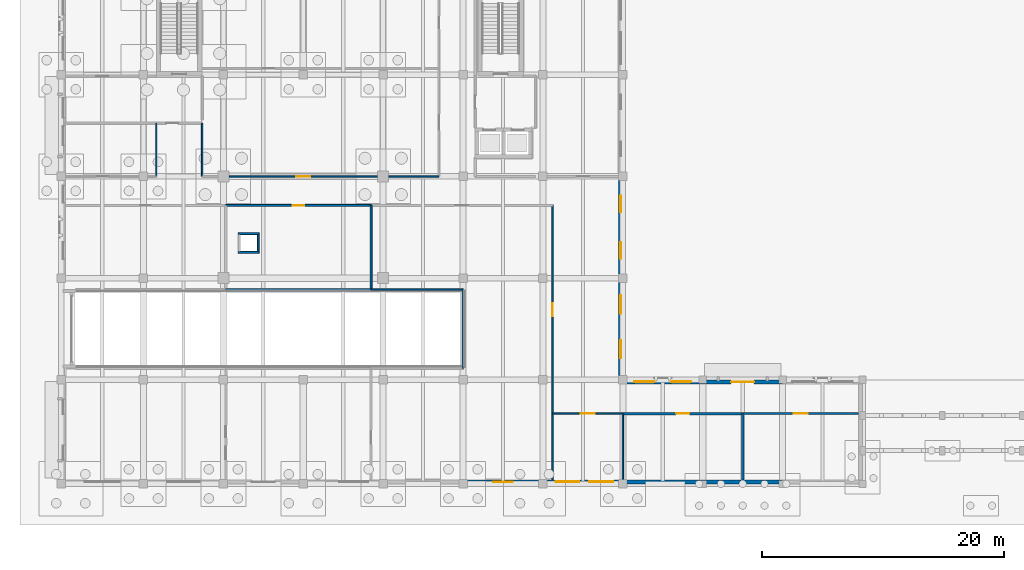
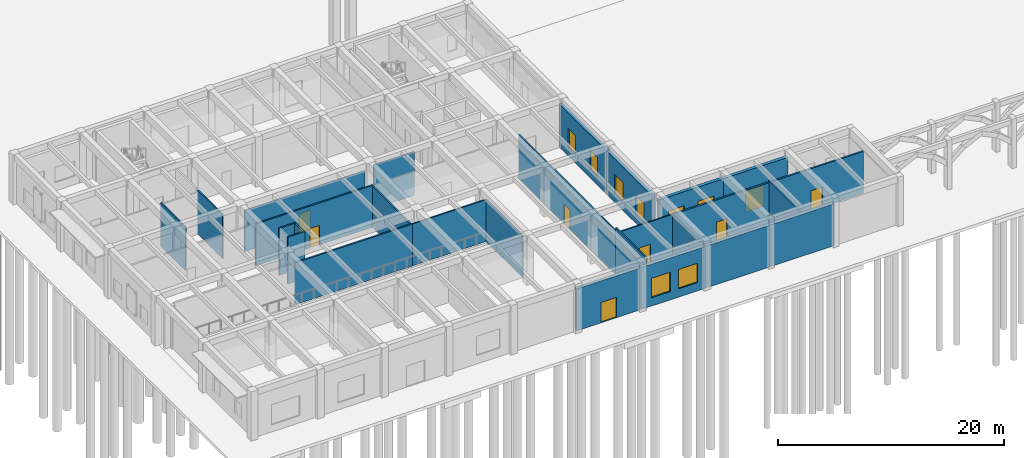
# One storey, part 49 of 82: 27 walls, 8 doors, 8 windows, 16 openings.
"""IFC4 building model written with IfcOpenShell, lengths in metres."""

from ifc_helpers import new_model, si_unit, direction, frame, frame_2d, origin, place, context, subcontext, project, spatial, rectangle, extrude, material, layer, layer_set, type_object, element, fill, save


model = new_model("IFC4")

# Units and contexts
model_context = context("Model", 3, precision=1e-05, world=origin(), true_north=direction((0.0, 1.0)))
body_context = subcontext(model_context, "Body", "Model", "MODEL_VIEW")
ifc_project = project(units=[si_unit("LENGTHUNIT", "METRE"), si_unit("AREAUNIT", "SQUARE_METRE"), si_unit("VOLUMEUNIT", "CUBIC_METRE"), si_unit("PLANEANGLEUNIT", "RADIAN"), si_unit("MASSUNIT", "GRAM", prefix="KILO")], contexts=[model_context])

# Site, building, storey
site_placement = place(None, origin())
site = spatial("IfcSite", under=ifc_project, at=site_placement, CompositionType="ELEMENT")
building_placement = place(site_placement, origin())
building = spatial("IfcBuilding", under=site, at=building_placement, Name="Kolvaren Faculty of Natural Sciences", CompositionType="ELEMENT")
storey_placement = place(building_placement, origin())
storey = spatial("IfcBuildingStorey", under=building, at=storey_placement, Name="L00", CompositionType="ELEMENT", Elevation=0.0)

# Walls
ifc_material_1 = material(Name="Acoustic mineral-wool insulated gypsum partition")
ifc_layer_1 = layer(ifc_material_1, 0.159912109375)
ifc_layer_set_1 = layer_set([ifc_layer_1], Name="Acoustic mineral-wool insulated gypsum partition")
wall_type_1 = type_object("IfcWallType", Name="ClassroomPartitionWall_160", PredefinedType="PARTITIONING", material=ifc_layer_set_1)
wall_1_placement = place(storey_placement, frame((25.60009765625, 23.0, 0.0), z_axis=(0.0, 0.0, 1.0), x_axis=(0.0, -1.0, 0.0)))
element("IfcWall", 1, at=wall_1_placement, inside=storey, type_object=wall_type_1, Name="L00 interior partition PW-160", PredefinedType="PARTITIONING", context=body_context, shape_type="SweptSolid", body=[
    extrude(rectangle(XDim=6.949951171875, YDim=0.159912109375, at=frame_2d((3.47509765625, 0.0))), origin(), (0.0, 0.0, 1.0), 4.43505859375),
])
wall_2_placement = place(storey_placement, frame((25.60009765625, 16.050048828125, 0.0), z_axis=(0.0, 0.0, 1.0), x_axis=(-1.0, 0.0, 0.0)))
element("IfcWall", 2, at=wall_2_placement, inside=storey, type_object=wall_type_1, Name="L00 interior partition PW-160", PredefinedType="PARTITIONING", context=body_context, shape_type="SweptSolid", body=[
    extrude(rectangle(XDim=12.0, YDim=0.159912109375, at=frame_2d((6.0, 0.0))), origin(), (0.0, 0.0, 1.0), 4.534912109375),
])

# Wall, opening, door
wall_3_placement = place(storey_placement, frame((13.60009765625, 23.0, 0.0), z_axis=(0.0, 0.0, 1.0), x_axis=(1.0, 0.0, 0.0)))
wall_3 = element("IfcWall", 3, at=wall_3_placement, inside=storey, type_object=wall_type_1, Name="L00 interior partition PW-160", PredefinedType="PARTITIONING", context=body_context, shape_type="SweptSolid", body=[
    extrude(rectangle(XDim=12.0, YDim=0.159912109375, at=frame_2d((6.0, 0.0))), origin(), (0.0, 0.0, 1.0), 4.534912109375),
])
opening_1_placement = place(wall_3_placement, frame((5.514892578125, 0.0, 0.0)))
opening_1 = element("IfcOpeningElement", 4, at=opening_1_placement, cuts=wall_3, Name="Opening ID-14", PredefinedType="OPENING", context=body_context, shape_type="SweptSolid", body=[
    extrude(rectangle(XDim=0.969970703125, YDim=2.10009765625, at=frame_2d((0.48486328125, 1.050048828125))), frame((0.0, 0.08984375, 0.0), z_axis=(0.0, -1.0, 0.0), x_axis=(1.0, 0.0, 0.0)), (0.0, 0.0, 1.0), 0.179931640625),
])
ifc_material_2 = material(Name="Solid-core hardwood veneer door leaf in steel frame", Category="steel")
door_type_1 = type_object("IfcDoorType", Name="InteriorRoomDoor_970x2100", OperationType="NOTDEFINED", PredefinedType="DOOR", material=ifc_material_2)
door_1_placement = place(opening_1_placement, origin())
door_1 = element("IfcDoor", 5, at=door_1_placement, inside=storey, type_object=door_type_1, Name="D-L00-0069", OperationType="SINGLE_SWING_LEFT", OverallHeight=2.10009765625, OverallWidth=0.969970703125, PredefinedType="DOOR", context=body_context, shape_type="SweptSolid", body=[
    extrude(rectangle(XDim=0.969970703125, YDim=2.10009765625, at=frame_2d((0.48486328125, 1.050048828125))), frame((0.0, 0.02490234375, 0.0), z_axis=(0.0, -1.0, 0.0), x_axis=(1.0, 0.0, 0.0)), (0.0, 0.0, 1.0), 0.050048828125),
])
fill(opening_1, door_1)

ifc_layer_2 = layer(ifc_material_1, 0.139892578125)
ifc_layer_set_2 = layer_set([ifc_layer_2], Name="Acoustic mineral-wool insulated gypsum partition")
wall_type_2 = type_object("IfcWallType", Name="CommonsPartitionWall_140", PredefinedType="PARTITIONING", material=ifc_layer_set_2)
wall_4_placement = place(storey_placement, frame((40.60009765625, 23.0, 0.0), z_axis=(0.0, 0.0, 1.0), x_axis=(0.0, -1.0, 0.0)))
wall_4 = element("IfcWall", 6, at=wall_4_placement, inside=storey, type_object=wall_type_2, Name="L00 interior partition PW-140", PredefinedType="PARTITIONING", context=body_context, shape_type="SweptSolid", body=[
    extrude(rectangle(XDim=17.199951171875, YDim=0.139892578125, at=frame_2d((8.60009765625, 0.0))), origin(), (0.0, 0.0, 1.0), 4.735107421875),
])
opening_2_placement = place(wall_4_placement, frame((8.06494140625, 0.0, 0.0)))
opening_2 = element("IfcOpeningElement", 7, at=opening_2_placement, cuts=wall_4, Name="Opening ID-16", PredefinedType="OPENING", context=body_context, shape_type="SweptSolid", body=[
    extrude(rectangle(XDim=1.070068359375, YDim=2.10009765625, at=frame_2d((0.53515625, 1.050048828125))), frame((0.0, 0.079833984375, 0.0), z_axis=(0.0, -1.0, 0.0), x_axis=(1.0, 0.0, 0.0)), (0.0, 0.0, 1.0), 0.159912109375),
])
door_type_2 = type_object("IfcDoorType", Name="InteriorRoomDoor_1070x2100", OperationType="NOTDEFINED", PredefinedType="DOOR", material=ifc_material_2)
door_2_placement = place(opening_2_placement, origin())
door_2 = element("IfcDoor", 8, at=door_2_placement, inside=storey, type_object=door_type_2, Name="D-L00-0072", OperationType="SINGLE_SWING_RIGHT", OverallHeight=2.10009765625, OverallWidth=1.070068359375, PredefinedType="DOOR", context=body_context, shape_type="SweptSolid", body=[
    extrude(rectangle(XDim=1.070068359375, YDim=2.10009765625, at=frame_2d((0.53515625, 1.050048828125))), frame((0.0, 0.02490234375, 0.0), z_axis=(0.0, -1.0, 0.0), x_axis=(1.0, 0.0, 0.0)), (0.0, 0.0, 1.0), 0.050048828125),
])
fill(opening_2, door_2)

# Walls
wall_5_placement = place(storey_placement, frame((40.60009765625, 5.800048828125, 0.0), z_axis=(0.0, 0.0, 1.0), x_axis=(0.0, -1.0, 0.0)))
element("IfcWall", 9, at=wall_5_placement, inside=storey, type_object=wall_type_2, Name="L00 interior partition PW-140", PredefinedType="PARTITIONING", context=body_context, shape_type="SweptSolid", body=[
    extrude(rectangle(XDim=5.4580078125, YDim=0.139892578125, at=frame_2d((2.72900390625, 0.0))), origin(), (0.0, 0.0, 1.0), 5.094970703125),
])
wall_6_placement = place(storey_placement, frame((33.199951171875, 9.550048828125, 0.0), z_axis=(0.0, 0.0, 1.0), x_axis=(0.0, 1.0, 0.0)))
element("IfcWall", 10, at=wall_6_placement, inside=storey, type_object=wall_type_2, Name="L00 interior partition PW-140", PredefinedType="PARTITIONING", context=body_context, shape_type="SweptSolid", body=[
    extrude(rectangle(XDim=6.5, YDim=0.139892578125, at=frame_2d((3.25, 0.0))), origin(), (0.0, 0.0, 1.0), 4.534912109375),
])
wall_7_placement = place(storey_placement, frame((33.199951171875, 16.050048828125, 0.0), z_axis=(0.0, 0.0, 1.0), x_axis=(-1.0, 0.0, 0.0)))
element("IfcWall", 11, at=wall_7_placement, inside=storey, type_object=wall_type_2, Name="L00 interior partition PW-140", PredefinedType="PARTITIONING", context=body_context, shape_type="SweptSolid", body=[
    extrude(rectangle(XDim=7.599853515625, YDim=0.139892578125, at=frame_2d((3.7998046875, 0.0))), origin(), (0.0, 0.0, 1.0), 4.534912109375),
])

# Wall, openings, windows
ifc_material_3 = material(Name="Sandstone-faced insulated cavity masonry", Category="masonry")
ifc_layer_3 = layer(ifc_material_3, 0.340087890625)
ifc_layer_set_3 = layer_set([ifc_layer_3], Name="Sandstone-faced insulated cavity masonry")
wall_type_3 = type_object("IfcWallType", Name="ExteriorCavityWall_340", PredefinedType="STANDARD", material=ifc_layer_set_3)
wall_8_placement = place(storey_placement, frame((46.39990234375, 0.169921875, 0.0), z_axis=(0.0, 0.0, 1.0), x_axis=(-1.0, 0.0, 0.0)))
wall_8 = element("IfcWall", 12, at=wall_8_placement, inside=storey, type_object=wall_type_3, Name="L00 exterior masonry wall EW-340 (1)", PredefinedType="STANDARD", context=body_context, shape_type="SweptSolid", body=[
    extrude(rectangle(XDim=6.599853515625, YDim=0.340087890625, at=frame_2d((3.2998046875, 0.0))), origin(), (0.0, 0.0, 1.0), 4.534912109375),
])
opening_3_placement = place(wall_8_placement, frame((0.806884765625, 0.0, 0.89990234375)))
opening_3 = element("IfcOpeningElement", 13, at=opening_3_placement, cuts=wall_8, Name="Opening WIN-06", PredefinedType="OPENING", context=body_context, shape_type="SweptSolid", body=[
    extrude(rectangle(XDim=1.949951171875, YDim=2.10009765625, at=frame_2d((0.97509765625, 1.050048828125))), frame((0.0, 0.179931640625, 0.0), z_axis=(0.0, -1.0, 0.0), x_axis=(1.0, 0.0, 0.0)), (0.0, 0.0, 1.0), 0.360107421875),
])
opening_4_placement = place(wall_8_placement, frame((3.610107421875, 0.0, 0.89990234375)))
opening_4 = element("IfcOpeningElement", 14, at=opening_4_placement, cuts=wall_8, Name="Opening WIN-06", PredefinedType="OPENING", context=body_context, shape_type="SweptSolid", body=[
    extrude(rectangle(XDim=1.949951171875, YDim=2.10009765625, at=frame_2d((0.97509765625, 1.050048828125))), frame((0.0, 0.179931640625, 0.0), z_axis=(0.0, -1.0, 0.0), x_axis=(1.0, 0.0, 0.0)), (0.0, 0.0, 1.0), 0.360107421875),
])
ifc_material_4 = material(Name="Double low-E solar control insulated glazing", Category="glass")
window_type_1 = type_object("IfcWindowType", Name="AluWindow_WIN06_1950x2100", PartitioningType="SINGLE_PANEL", PredefinedType="WINDOW", material=ifc_material_4)
window_1_placement = place(opening_3_placement, origin())
window_1 = element("IfcWindow", 15, at=window_1_placement, inside=storey, type_object=window_type_1, Name="WIN-L00-0013", OverallHeight=2.10009765625, OverallWidth=1.949951171875, PartitioningType="SINGLE_PANEL", PredefinedType="WINDOW", context=body_context, shape_type="SweptSolid", body=[
    extrude(rectangle(XDim=1.949951171875, YDim=2.10009765625, at=frame_2d((0.97509765625, 1.050048828125))), frame((0.0, 0.030029296875, 0.0), z_axis=(0.0, -1.0, 0.0), x_axis=(1.0, 0.0, 0.0)), (0.0, 0.0, 1.0), 0.06005859375),
])
fill(opening_3, window_1)
window_2_placement = place(opening_4_placement, origin())
window_2 = element("IfcWindow", 16, at=window_2_placement, inside=storey, type_object=window_type_1, Name="WIN-L00-0014", OverallHeight=2.10009765625, OverallWidth=1.949951171875, PartitioningType="SINGLE_PANEL", PredefinedType="WINDOW", context=body_context, shape_type="SweptSolid", body=[
    extrude(rectangle(XDim=1.949951171875, YDim=2.10009765625, at=frame_2d((0.97509765625, 1.050048828125))), frame((0.0, 0.030029296875, 0.0), z_axis=(0.0, -1.0, 0.0), x_axis=(1.0, 0.0, 0.0)), (0.0, 0.0, 1.0), 0.06005859375),
])
fill(opening_4, window_2)

# Wall, opening, door
wall_9_placement = place(storey_placement, frame((39.800048828125, 0.169921875, 0.0), z_axis=(0.0, 0.0, 1.0), x_axis=(-1.0, 0.0, 0.0)))
wall_9 = element("IfcWall", 17, at=wall_9_placement, inside=storey, type_object=wall_type_3, Name="L00 exterior masonry wall EW-340 (2)", PredefinedType="STANDARD", context=body_context, shape_type="SweptSolid", body=[
    extrude(rectangle(XDim=6.60009765625, YDim=0.340087890625, at=frame_2d((3.300048828125, 0.0))), origin(), (0.0, 0.0, 1.0), 4.534912109375),
])
opening_5_placement = place(wall_9_placement, frame((2.5, 0.0, 0.0)))
opening_5 = element("IfcOpeningElement", 18, at=opening_5_placement, cuts=wall_9, Name="Opening ED-03", PredefinedType="OPENING", context=body_context, shape_type="SweptSolid", body=[
    extrude(rectangle(XDim=1.60009765625, YDim=2.199951171875, at=frame_2d((0.800048828125, 1.10009765625))), frame((0.0, 0.179931640625, 0.0), z_axis=(0.0, -1.0, 0.0), x_axis=(1.0, 0.0, 0.0)), (0.0, 0.0, 1.0), 0.360107421875),
])
ifc_material_5 = material(Name="Thermally broken anodised aluminium framing", Category="aluminium")
door_type_3 = type_object("IfcDoorType", Name="FinalExitDoubleDoor_1600x2200", OperationType="DOUBLE_DOOR_SINGLE_SWING", PredefinedType="DOOR", material=ifc_material_5)
door_3_placement = place(opening_5_placement, origin())
door_3 = element("IfcDoor", 19, at=door_3_placement, inside=storey, type_object=door_type_3, Name="D-L00-EX-19", OperationType="DOUBLE_DOOR_SINGLE_SWING", OverallHeight=2.199951171875, OverallWidth=1.60009765625, PredefinedType="DOOR", context=body_context, shape_type="SweptSolid", body=[
    extrude(rectangle(XDim=1.60009765625, YDim=2.199951171875, at=frame_2d((0.800048828125, 1.10009765625))), frame((0.0, 0.02490234375, 0.0), z_axis=(0.0, -1.0, 0.0), x_axis=(1.0, 0.0, 0.0)), (0.0, 0.0, 1.0), 0.050048828125),
])
fill(opening_5, door_3)

# Wall, openings, windows
wall_10_placement = place(storey_placement, frame((46.22998046875, 25.39990234375, 0.0), z_axis=(0.0, 0.0, 1.0), x_axis=(0.0, -1.0, 0.0)))
wall_10 = element("IfcWall", 20, at=wall_10_placement, inside=storey, type_object=wall_type_3, Name="L00 exterior masonry wall EW-340 (21)", PredefinedType="STANDARD", context=body_context, shape_type="SweptSolid", body=[
    extrude(rectangle(XDim=8.39990234375, YDim=0.340087890625, at=frame_2d((4.199951171875, 0.0))), origin(), (0.0, 0.0, 1.0), 4.68505859375),
])
opening_6_placement = place(wall_10_placement, frame((1.593017578125, 0.0, 0.89990234375)))
opening_6 = element("IfcOpeningElement", 21, at=opening_6_placement, cuts=wall_10, Name="Opening WIN-02", PredefinedType="OPENING", context=body_context, shape_type="SweptSolid", body=[
    extrude(rectangle(XDim=1.35009765625, YDim=2.10009765625, at=frame_2d((0.675048828125, 1.050048828125))), frame((0.0, 0.179931640625, 0.0), z_axis=(0.0, -1.0, 0.0), x_axis=(1.0, 0.0, 0.0)), (0.0, 0.0, 1.0), 0.360107421875),
])
opening_7_placement = place(wall_10_placement, frame((5.45703125, 0.0, 0.89990234375)))
opening_7 = element("IfcOpeningElement", 22, at=opening_7_placement, cuts=wall_10, Name="Opening WIN-02", PredefinedType="OPENING", context=body_context, shape_type="SweptSolid", body=[
    extrude(rectangle(XDim=1.35009765625, YDim=2.10009765625, at=frame_2d((0.675048828125, 1.050048828125))), frame((0.0, 0.179931640625, 0.0), z_axis=(0.0, -1.0, 0.0), x_axis=(1.0, 0.0, 0.0)), (0.0, 0.0, 1.0), 0.360107421875),
])
window_type_2 = type_object("IfcWindowType", Name="AluWindow_WIN02_1350x2100", PartitioningType="SINGLE_PANEL", PredefinedType="WINDOW", material=ifc_material_4)
window_3_placement = place(opening_6_placement, origin())
window_3 = element("IfcWindow", 23, at=window_3_placement, inside=storey, type_object=window_type_2, Name="WIN-L00-0036", OverallHeight=2.10009765625, OverallWidth=1.35009765625, PartitioningType="SINGLE_PANEL", PredefinedType="WINDOW", context=body_context, shape_type="SweptSolid", body=[
    extrude(rectangle(XDim=1.35009765625, YDim=2.10009765625, at=frame_2d((0.675048828125, 1.050048828125))), frame((0.0, 0.030029296875, 0.0), z_axis=(0.0, -1.0, 0.0), x_axis=(1.0, 0.0, 0.0)), (0.0, 0.0, 1.0), 0.06005859375),
])
fill(opening_6, window_3)
window_4_placement = place(opening_7_placement, origin())
window_4 = element("IfcWindow", 24, at=window_4_placement, inside=storey, type_object=window_type_2, Name="WIN-L00-0037", OverallHeight=2.10009765625, OverallWidth=1.35009765625, PartitioningType="SINGLE_PANEL", PredefinedType="WINDOW", context=body_context, shape_type="SweptSolid", body=[
    extrude(rectangle(XDim=1.35009765625, YDim=2.10009765625, at=frame_2d((0.675048828125, 1.050048828125))), frame((0.0, 0.030029296875, 0.0), z_axis=(0.0, -1.0, 0.0), x_axis=(1.0, 0.0, 0.0)), (0.0, 0.0, 1.0), 0.06005859375),
])
fill(opening_7, window_4)

wall_11_placement = place(storey_placement, frame((46.22998046875, 17.0, 0.0), z_axis=(0.0, 0.0, 1.0), x_axis=(0.0, -1.0, 0.0)))
wall_11 = element("IfcWall", 25, at=wall_11_placement, inside=storey, type_object=wall_type_3, Name="L00 exterior masonry wall EW-340 (22)", PredefinedType="STANDARD", context=body_context, shape_type="SweptSolid", body=[
    extrude(rectangle(XDim=8.06005859375, YDim=0.340087890625, at=frame_2d((4.030029296875, 0.0))), origin(), (0.0, 0.0, 1.0), 4.68505859375),
])
opening_8_placement = place(wall_11_placement, frame((1.42626953125, 0.0, 0.89990234375)))
opening_8 = element("IfcOpeningElement", 26, at=opening_8_placement, cuts=wall_11, Name="Opening WIN-03", PredefinedType="OPENING", context=body_context, shape_type="SweptSolid", body=[
    extrude(rectangle(XDim=1.5, YDim=2.10009765625, at=frame_2d((0.75, 1.050048828125))), frame((0.0, 0.179931640625, 0.0), z_axis=(0.0, -1.0, 0.0), x_axis=(1.0, 0.0, 0.0)), (0.0, 0.0, 1.0), 0.360107421875),
])
opening_9_placement = place(wall_11_placement, frame((5.1337890625, 0.0, 0.89990234375)))
opening_9 = element("IfcOpeningElement", 27, at=opening_9_placement, cuts=wall_11, Name="Opening WIN-03", PredefinedType="OPENING", context=body_context, shape_type="SweptSolid", body=[
    extrude(rectangle(XDim=1.5, YDim=2.10009765625, at=frame_2d((0.75, 1.050048828125))), frame((0.0, 0.179931640625, 0.0), z_axis=(0.0, -1.0, 0.0), x_axis=(1.0, 0.0, 0.0)), (0.0, 0.0, 1.0), 0.360107421875),
])
window_type_3 = type_object("IfcWindowType", Name="AluWindow_WIN03_1500x2100", PartitioningType="SINGLE_PANEL", PredefinedType="WINDOW", material=ifc_material_4)
window_5_placement = place(opening_8_placement, origin())
window_5 = element("IfcWindow", 28, at=window_5_placement, inside=storey, type_object=window_type_3, Name="WIN-L00-0038", OverallHeight=2.10009765625, OverallWidth=1.5, PartitioningType="SINGLE_PANEL", PredefinedType="WINDOW", context=body_context, shape_type="SweptSolid", body=[
    extrude(rectangle(XDim=1.5, YDim=2.10009765625, at=frame_2d((0.75, 1.050048828125))), frame((0.0, 0.030029296875, 0.0), z_axis=(0.0, -1.0, 0.0), x_axis=(1.0, 0.0, 0.0)), (0.0, 0.0, 1.0), 0.06005859375),
])
fill(opening_8, window_5)
window_6_placement = place(opening_9_placement, origin())
window_6 = element("IfcWindow", 29, at=window_6_placement, inside=storey, type_object=window_type_3, Name="WIN-L00-0039", OverallHeight=2.10009765625, OverallWidth=1.5, PartitioningType="SINGLE_PANEL", PredefinedType="WINDOW", context=body_context, shape_type="SweptSolid", body=[
    extrude(rectangle(XDim=1.5, YDim=2.10009765625, at=frame_2d((0.75, 1.050048828125))), frame((0.0, 0.030029296875, 0.0), z_axis=(0.0, -1.0, 0.0), x_axis=(1.0, 0.0, 0.0)), (0.0, 0.0, 1.0), 0.06005859375),
])
fill(opening_9, window_6)

wall_12_placement = place(storey_placement, frame((46.39990234375, 8.429931640625, 0.0), z_axis=(0.0, 0.0, 1.0), x_axis=(1.0, 0.0, 0.0)))
wall_12 = element("IfcWall", 30, at=wall_12_placement, inside=storey, type_object=wall_type_3, Name="L00 exterior masonry wall EW-340 (23)", PredefinedType="STANDARD", context=body_context, shape_type="SweptSolid", body=[
    extrude(rectangle(XDim=6.60009765625, YDim=0.340087890625, at=frame_2d((3.300048828125, 0.0))), origin(), (0.0, 0.0, 1.0), 4.534912109375),
])
opening_10_placement = place(wall_12_placement, frame((0.95703125, 0.0, 0.89990234375)))
opening_10 = element("IfcOpeningElement", 31, at=opening_10_placement, cuts=wall_12, Name="Opening WIN-04", PredefinedType="OPENING", context=body_context, shape_type="SweptSolid", body=[
    extrude(rectangle(XDim=1.64990234375, YDim=2.10009765625, at=frame_2d((0.824951171875, 1.050048828125))), frame((0.0, 0.179931640625, 0.0), z_axis=(0.0, -1.0, 0.0), x_axis=(1.0, 0.0, 0.0)), (0.0, 0.0, 1.0), 0.360107421875),
])
opening_11_placement = place(wall_12_placement, frame((3.992919921875, 0.0, 0.89990234375)))
opening_11 = element("IfcOpeningElement", 32, at=opening_11_placement, cuts=wall_12, Name="Opening WIN-04", PredefinedType="OPENING", context=body_context, shape_type="SweptSolid", body=[
    extrude(rectangle(XDim=1.64990234375, YDim=2.10009765625, at=frame_2d((0.824951171875, 1.050048828125))), frame((0.0, 0.179931640625, 0.0), z_axis=(0.0, -1.0, 0.0), x_axis=(1.0, 0.0, 0.0)), (0.0, 0.0, 1.0), 0.360107421875),
])
window_type_4 = type_object("IfcWindowType", Name="AluWindow_WIN04_1650x2100", PartitioningType="SINGLE_PANEL", PredefinedType="WINDOW", material=ifc_material_4)
window_7_placement = place(opening_10_placement, origin())
window_7 = element("IfcWindow", 33, at=window_7_placement, inside=storey, type_object=window_type_4, Name="WIN-L00-0040", OverallHeight=2.10009765625, OverallWidth=1.64990234375, PartitioningType="SINGLE_PANEL", PredefinedType="WINDOW", context=body_context, shape_type="SweptSolid", body=[
    extrude(rectangle(XDim=1.64990234375, YDim=2.10009765625, at=frame_2d((0.824951171875, 1.050048828125))), frame((0.0, 0.030029296875, 0.0), z_axis=(0.0, -1.0, 0.0), x_axis=(1.0, 0.0, 0.0)), (0.0, 0.0, 1.0), 0.06005859375),
])
fill(opening_10, window_7)
window_8_placement = place(opening_11_placement, origin())
window_8 = element("IfcWindow", 34, at=window_8_placement, inside=storey, type_object=window_type_4, Name="WIN-L00-0041", OverallHeight=2.10009765625, OverallWidth=1.64990234375, PartitioningType="SINGLE_PANEL", PredefinedType="WINDOW", context=body_context, shape_type="SweptSolid", body=[
    extrude(rectangle(XDim=1.64990234375, YDim=2.10009765625, at=frame_2d((0.824951171875, 1.050048828125))), frame((0.0, 0.030029296875, 0.0), z_axis=(0.0, -1.0, 0.0), x_axis=(1.0, 0.0, 0.0)), (0.0, 0.0, 1.0), 0.06005859375),
])
fill(opening_11, window_8)

# Wall, opening, door
wall_13_placement = place(storey_placement, frame((53.0, 8.429931640625, 0.0), z_axis=(0.0, 0.0, 1.0), x_axis=(1.0, 0.0, 0.0)))
wall_13 = element("IfcWall", 35, at=wall_13_placement, inside=storey, type_object=wall_type_3, Name="L00 exterior masonry wall EW-340 (24)", PredefinedType="STANDARD", context=body_context, shape_type="SweptSolid", body=[
    extrude(rectangle(XDim=6.60009765625, YDim=0.340087890625, at=frame_2d((3.300048828125, 0.0))), origin(), (0.0, 0.0, 1.0), 4.534912109375),
])
opening_12_placement = place(wall_13_placement, frame((2.35009765625, 0.0, 0.0)))
opening_12 = element("IfcOpeningElement", 36, at=opening_12_placement, cuts=wall_13, Name="Opening ED-02", PredefinedType="OPENING", context=body_context, shape_type="SweptSolid", body=[
    extrude(rectangle(XDim=1.89990234375, YDim=2.300048828125, at=frame_2d((0.949951171875, 1.14990234375))), frame((0.0, 0.179931640625, 0.0), z_axis=(0.0, -1.0, 0.0), x_axis=(1.0, 0.0, 0.0)), (0.0, 0.0, 1.0), 0.360107421875),
])
door_type_4 = type_object("IfcDoorType", Name="PlazaExitDoubleDoor_1900x2300", OperationType="DOUBLE_DOOR_SINGLE_SWING", PredefinedType="DOOR", material=ifc_material_5)
door_4_placement = place(opening_12_placement, origin())
door_4 = element("IfcDoor", 37, at=door_4_placement, inside=storey, type_object=door_type_4, Name="D-L00-EX-20", OperationType="DOUBLE_DOOR_SINGLE_SWING", OverallHeight=2.300048828125, OverallWidth=1.89990234375, PredefinedType="DOOR", context=body_context, shape_type="SweptSolid", body=[
    extrude(rectangle(XDim=1.89990234375, YDim=2.300048828125, at=frame_2d((0.949951171875, 1.14990234375))), frame((0.0, 0.02490234375, 0.0), z_axis=(0.0, -1.0, 0.0), x_axis=(1.0, 0.0, 0.0)), (0.0, 0.0, 1.0), 0.050048828125),
])
fill(opening_12, door_4)

# Walls
for number, where, z_axis, x_axis, name in (
    (38, (59.60009765625, 0.169921875, 0.0), (0.0, 0.0, 1.0), (-1.0, 0.0, 0.0), "L00 exterior masonry wall EW-340 (28)"),
    (39, (53.0, 0.169921875, 0.0), (0.0, 0.0, 1.0), (-1.0, 0.0, 0.0), "L00 exterior masonry wall EW-340 (29)"),
):
    element("IfcWall", number, at=place(storey_placement, frame(where, z_axis=z_axis, x_axis=x_axis)), inside=storey, type_object=wall_type_3, Name=name, PredefinedType="STANDARD", context=body_context, shape_type="SweptSolid", body=[
        extrude(rectangle(XDim=6.60009765625, YDim=0.340087890625, at=frame_2d((3.300048828125, 0.0))), origin(), (0.0, 0.0, 1.0), 4.534912109375),
    ])
ifc_layer_4 = layer(ifc_material_1, 0.179931640625)
ifc_layer_set_4 = layer_set([ifc_layer_4], Name="Acoustic mineral-wool insulated gypsum partition")
wall_type_4 = type_object("IfcWallType", Name="LabPartitionWall_180", PredefinedType="PARTITIONING", material=ifc_layer_set_4)
wall_14_placement = place(storey_placement, frame((56.300048828125, 5.800048828125, 0.0), z_axis=(0.0, 0.0, 1.0), x_axis=(0.0, -1.0, 0.0)))
element("IfcWall", 40, at=wall_14_placement, inside=storey, type_object=wall_type_4, Name="L00 interior partition PW-180", PredefinedType="PARTITIONING", context=body_context, shape_type="SweptSolid", body=[
    extrude(rectangle(XDim=5.4580078125, YDim=0.179931640625, at=frame_2d((2.72900390625, 0.0))), origin(), (0.0, 0.0, 1.0), 4.68505859375),
])

# Wall, opening, door
wall_15_placement = place(storey_placement, frame((46.39990234375, 5.800048828125, 0.0), z_axis=(0.0, 0.0, 1.0), x_axis=(1.0, 0.0, 0.0)))
wall_15 = element("IfcWall", 41, at=wall_15_placement, inside=storey, type_object=wall_type_4, Name="L00 interior partition PW-180", PredefinedType="PARTITIONING", context=body_context, shape_type="SweptSolid", body=[
    extrude(rectangle(XDim=9.900146484375, YDim=0.179931640625, at=frame_2d((4.9501953125, 0.0))), origin(), (0.0, 0.0, 1.0), 4.534912109375),
])
opening_13_placement = place(wall_15_placement, frame((4.409912109375, 0.0, 0.0)))
opening_13 = element("IfcOpeningElement", 42, at=opening_13_placement, cuts=wall_15, Name="Opening ID-23", PredefinedType="OPENING", context=body_context, shape_type="SweptSolid", body=[
    extrude(rectangle(XDim=1.080078125, YDim=2.139892578125, at=frame_2d((0.5400390625, 1.06982421875))), frame((0.0, 0.099853515625, 0.0), z_axis=(0.0, -1.0, 0.0), x_axis=(1.0, 0.0, 0.0)), (0.0, 0.0, 1.0), 0.199951171875),
])
door_type_5 = type_object("IfcDoorType", Name="InteriorRoomDoor_1080x2140", OperationType="NOTDEFINED", PredefinedType="DOOR", material=ifc_material_2)
door_5_placement = place(opening_13_placement, origin())
door_5 = element("IfcDoor", 43, at=door_5_placement, inside=storey, type_object=door_type_5, Name="D-L00-0082", OperationType="SINGLE_SWING_RIGHT", OverallHeight=2.139892578125, OverallWidth=1.080078125, PredefinedType="DOOR", context=body_context, shape_type="SweptSolid", body=[
    extrude(rectangle(XDim=1.080078125, YDim=2.139892578125, at=frame_2d((0.5400390625, 1.06982421875))), frame((0.0, 0.02490234375, 0.0), z_axis=(0.0, -1.0, 0.0), x_axis=(1.0, 0.0, 0.0)), (0.0, 0.0, 1.0), 0.050048828125),
])
fill(opening_13, door_5)

# Wall
ifc_layer_5 = layer(ifc_material_1, 0.1298828125)
ifc_layer_set_5 = layer_set([ifc_layer_5], Name="Acoustic mineral-wool insulated gypsum partition")
wall_type_5 = type_object("IfcWallType", Name="OfficePartitionWall_130", PredefinedType="PARTITIONING", material=ifc_layer_set_5)
wall_16_placement = place(storey_placement, frame((46.39990234375, 5.800048828125, 0.0), z_axis=(0.0, 0.0, 1.0), x_axis=(0.0, -1.0, 0.0)))
element("IfcWall", 44, at=wall_16_placement, inside=storey, type_object=wall_type_5, Name="L00 interior partition PW-130", PredefinedType="PARTITIONING", context=body_context, shape_type="SweptSolid", body=[
    extrude(rectangle(XDim=5.449951171875, YDim=0.1298828125, at=frame_2d((2.72509765625, 0.0))), origin(), (0.0, 0.0, 1.0), 4.534912109375),
])

# Wall, opening, door
wall_17_placement = place(storey_placement, frame((40.60009765625, 5.800048828125, 0.0), z_axis=(0.0, 0.0, 1.0), x_axis=(1.0, 0.0, 0.0)))
wall_17 = element("IfcWall", 45, at=wall_17_placement, inside=storey, type_object=wall_type_5, Name="L00 interior partition PW-130", PredefinedType="PARTITIONING", context=body_context, shape_type="SweptSolid", body=[
    extrude(rectangle(XDim=5.7998046875, YDim=0.1298828125, at=frame_2d((2.89990234375, 0.0))), origin(), (0.0, 0.0, 1.0), 4.534912109375),
])
opening_14_placement = place(wall_17_placement, frame((2.340087890625, 0.0, 0.0)))
opening_14 = element("IfcOpeningElement", 46, at=opening_14_placement, cuts=wall_17, Name="Opening ID-17", PredefinedType="OPENING", context=body_context, shape_type="SweptSolid", body=[
    extrude(rectangle(XDim=1.1201171875, YDim=2.10009765625, at=frame_2d((0.56005859375, 1.050048828125))), frame((0.0, 0.074951171875, 0.0), z_axis=(0.0, -1.0, 0.0), x_axis=(1.0, 0.0, 0.0)), (0.0, 0.0, 1.0), 0.14990234375),
])
door_type_6 = type_object("IfcDoorType", Name="InteriorRoomDoor_1120x2100", OperationType="NOTDEFINED", PredefinedType="DOOR", material=ifc_material_2)
door_6_placement = place(opening_14_placement, origin())
door_6 = element("IfcDoor", 47, at=door_6_placement, inside=storey, type_object=door_type_6, Name="D-L00-0074", OperationType="SINGLE_SWING_RIGHT", OverallHeight=2.10009765625, OverallWidth=1.1201171875, PredefinedType="DOOR", context=body_context, shape_type="SweptSolid", body=[
    extrude(rectangle(XDim=1.1201171875, YDim=2.10009765625, at=frame_2d((0.56005859375, 1.050048828125))), frame((0.0, 0.02490234375, 0.0), z_axis=(0.0, -1.0, 0.0), x_axis=(1.0, 0.0, 0.0)), (0.0, 0.0, 1.0), 0.050048828125),
])
fill(opening_14, door_6)

# Walls
ifc_material_6 = material(Name="Double fire-rated gypsum board on 100 mm steel stud", Category="steel")
ifc_layer_6 = layer(ifc_material_6, 0.159912109375)
ifc_layer_set_6 = layer_set([ifc_layer_6], Name="Double fire-rated gypsum board on 100 mm steel stud")
wall_type_6 = type_object("IfcWallType", Name="RiserShaftWall_160", PredefinedType="PARTITIONING", material=ifc_layer_set_6)
for number, where, z_axis, x_axis, name in (
    (48, (14.639892578125, 19.1201171875, 0.0), (0.0, 0.0, 1.0), (1.0, 0.0, 0.0), "L00 service riser shaft wall S"),
    (49, (14.639892578125, 20.679931640625, 0.0), (0.0, 0.0, 1.0), (1.0, 0.0, 0.0), "L00 service riser shaft wall N"),
):
    element("IfcWall", number, at=place(storey_placement, frame(where, z_axis=z_axis, x_axis=x_axis)), inside=storey, type_object=wall_type_6, Name=name, PredefinedType="PARTITIONING", context=body_context, shape_type="SweptSolid", body=[
        extrude(rectangle(XDim=1.72021484375, YDim=0.159912109375, at=frame_2d((0.860107421875, 0.0))), origin(), (0.0, 0.0, 1.0), 5.094970703125),
    ])
wall_18_placement = place(storey_placement, frame((16.280029296875, 19.199951171875, 0.0), z_axis=(0.0, 0.0, 1.0), x_axis=(0.0, 1.0, 0.0)))
element("IfcWall", 50, at=wall_18_placement, inside=storey, type_object=wall_type_6, Name="L00 service riser shaft wall E", PredefinedType="PARTITIONING", context=body_context, shape_type="SweptSolid", body=[
    extrude(rectangle(XDim=1.400146484375, YDim=0.159912109375, at=frame_2d((0.7001953125, 0.0))), origin(), (0.0, 0.0, 1.0), 5.094970703125),
])

# Wall, opening, door
ifc_layer_7 = layer(ifc_material_1, 0.169921875)
ifc_layer_set_7 = layer_set([ifc_layer_7], Name="Acoustic mineral-wool insulated gypsum partition")
wall_type_7 = type_object("IfcWallType", Name="SeminarPartitionWall_170", PredefinedType="PARTITIONING", material=ifc_layer_set_7)
wall_19_placement = place(storey_placement, frame((56.300048828125, 5.800048828125, 0.0), z_axis=(0.0, 0.0, 1.0), x_axis=(1.0, 0.0, 0.0)))
wall_19 = element("IfcWall", 51, at=wall_19_placement, inside=storey, type_object=wall_type_7, Name="L00 interior partition PW-170", PredefinedType="PARTITIONING", context=body_context, shape_type="SweptSolid", body=[
    extrude(rectangle(XDim=9.557861328125, YDim=0.169921875, at=frame_2d((4.77880859375, 0.0))), origin(), (0.0, 0.0, 1.0), 4.534912109375),
])
opening_15_placement = place(wall_19_placement, frame((4.198974609375, 0.0, 0.0)))
opening_15 = element("IfcOpeningElement", 52, at=opening_15_placement, cuts=wall_19, Name="Opening ID-24", PredefinedType="OPENING", context=body_context, shape_type="SweptSolid", body=[
    extrude(rectangle(XDim=1.159912109375, YDim=2.139892578125, at=frame_2d((0.580078125, 1.06982421875))), frame((0.0, 0.094970703125, 0.0), z_axis=(0.0, -1.0, 0.0), x_axis=(1.0, 0.0, 0.0)), (0.0, 0.0, 1.0), 0.18994140625),
])
door_type_7 = type_object("IfcDoorType", Name="InteriorRoomDoor_1160x2140", OperationType="NOTDEFINED", PredefinedType="DOOR", material=ifc_material_2)
door_7_placement = place(opening_15_placement, origin())
door_7 = element("IfcDoor", 53, at=door_7_placement, inside=storey, type_object=door_type_7, Name="D-L00-0083", OperationType="SINGLE_SWING_LEFT", OverallHeight=2.139892578125, OverallWidth=1.159912109375, PredefinedType="DOOR", context=body_context, shape_type="SweptSolid", body=[
    extrude(rectangle(XDim=1.159912109375, YDim=2.139892578125, at=frame_2d((0.580078125, 1.06982421875))), frame((0.0, 0.02490234375, 0.0), z_axis=(0.0, -1.0, 0.0), x_axis=(1.0, 0.0, 0.0)), (0.0, 0.0, 1.0), 0.050048828125),
])
fill(opening_15, door_7)

# Wall
ifc_layer_8 = layer(ifc_material_1, 0.1201171875)
ifc_layer_set_8 = layer_set([ifc_layer_8], Name="Acoustic mineral-wool insulated gypsum partition")
wall_type_8 = type_object("IfcWallType", Name="StudioPartitionWall_120", PredefinedType="PARTITIONING", material=ifc_layer_set_8)
wall_20_placement = place(storey_placement, frame((31.199951171875, 25.39990234375, 0.0), z_axis=(0.0, 0.0, 1.0), x_axis=(-1.0, 0.0, 0.0)))
element("IfcWall", 54, at=wall_20_placement, inside=storey, type_object=wall_type_8, Name="L00 interior partition PW-120", PredefinedType="PARTITIONING", context=body_context, shape_type="SweptSolid", body=[
    extrude(rectangle(XDim=4.14990234375, YDim=0.1201171875, at=frame_2d((2.074951171875, 0.0))), origin(), (0.0, 0.0, 1.0), 4.735107421875),
])

# Wall, opening, door
wall_21_placement = place(storey_placement, frame((26.14990234375, 25.39990234375, 0.0), z_axis=(0.0, 0.0, 1.0), x_axis=(-1.0, 0.0, 0.0)))
wall_21 = element("IfcWall", 55, at=wall_21_placement, inside=storey, type_object=wall_type_8, Name="L00 interior partition PW-120", PredefinedType="PARTITIONING", context=body_context, shape_type="SweptSolid", body=[
    extrude(rectangle(XDim=12.2998046875, YDim=0.1201171875, at=frame_2d((6.14990234375, 0.0))), origin(), (0.0, 0.0, 1.0), 4.43505859375),
])
opening_16_placement = place(wall_21_placement, frame((5.56005859375, 0.0, 0.0)))
opening_16 = element("IfcOpeningElement", 56, at=opening_16_placement, cuts=wall_21, Name="Opening ID-18", PredefinedType="OPENING", context=body_context, shape_type="SweptSolid", body=[
    extrude(rectangle(XDim=1.179931640625, YDim=2.10009765625, at=frame_2d((0.58984375, 1.050048828125))), frame((0.0, 0.070068359375, 0.0), z_axis=(0.0, -1.0, 0.0), x_axis=(1.0, 0.0, 0.0)), (0.0, 0.0, 1.0), 0.14013671875),
])
door_type_8 = type_object("IfcDoorType", Name="InteriorRoomDoor_1180x2100", OperationType="NOTDEFINED", PredefinedType="DOOR", material=ifc_material_2)
door_8_placement = place(opening_16_placement, origin())
door_8 = element("IfcDoor", 57, at=door_8_placement, inside=storey, type_object=door_type_8, Name="D-L00-0075", OperationType="SINGLE_SWING_LEFT", OverallHeight=2.10009765625, OverallWidth=1.179931640625, PredefinedType="DOOR", context=body_context, shape_type="SweptSolid", body=[
    extrude(rectangle(XDim=1.179931640625, YDim=2.10009765625, at=frame_2d((0.58984375, 1.050048828125))), frame((0.0, 0.02490234375, 0.0), z_axis=(0.0, -1.0, 0.0), x_axis=(1.0, 0.0, 0.0)), (0.0, 0.0, 1.0), 0.050048828125),
])
fill(opening_16, door_8)

# Walls
wall_22_placement = place(storey_placement, frame((11.64990234375, 25.39990234375, 0.0), z_axis=(0.0, 0.0, 1.0), x_axis=(0.0, 1.0, 0.0)))
element("IfcWall", 58, at=wall_22_placement, inside=storey, type_object=wall_type_8, Name="L00 interior partition PW-120", PredefinedType="PARTITIONING", context=body_context, shape_type="SweptSolid", body=[
    extrude(rectangle(XDim=4.400146484375, YDim=0.1201171875, at=frame_2d((2.2001953125, 0.0))), origin(), (0.0, 0.0, 1.0), 4.735107421875),
])
ifc_layer_9 = layer(ifc_material_1, 0.10498046875)
ifc_layer_set_9 = layer_set([ifc_layer_9], Name="Acoustic mineral-wool insulated gypsum partition")
wall_type_9 = type_object("IfcWallType", Name="WetRoomPartition_105", PredefinedType="PARTITIONING", material=ifc_layer_set_9)
wall_23_placement = place(storey_placement, frame((7.85009765625, 29.800048828125, 0.0), z_axis=(0.0, 0.0, 1.0), x_axis=(0.0, -1.0, 0.0)))
element("IfcWall", 59, at=wall_23_placement, inside=storey, type_object=wall_type_9, Name="L00 interior partition PW-105", PredefinedType="PARTITIONING", context=body_context, shape_type="SweptSolid", body=[
    extrude(rectangle(XDim=4.400146484375, YDim=0.10498046875, at=frame_2d((2.2001953125, 0.0))), origin(), (0.0, 0.0, 1.0), 4.735107421875),
])

save(model, "model.ifc")
